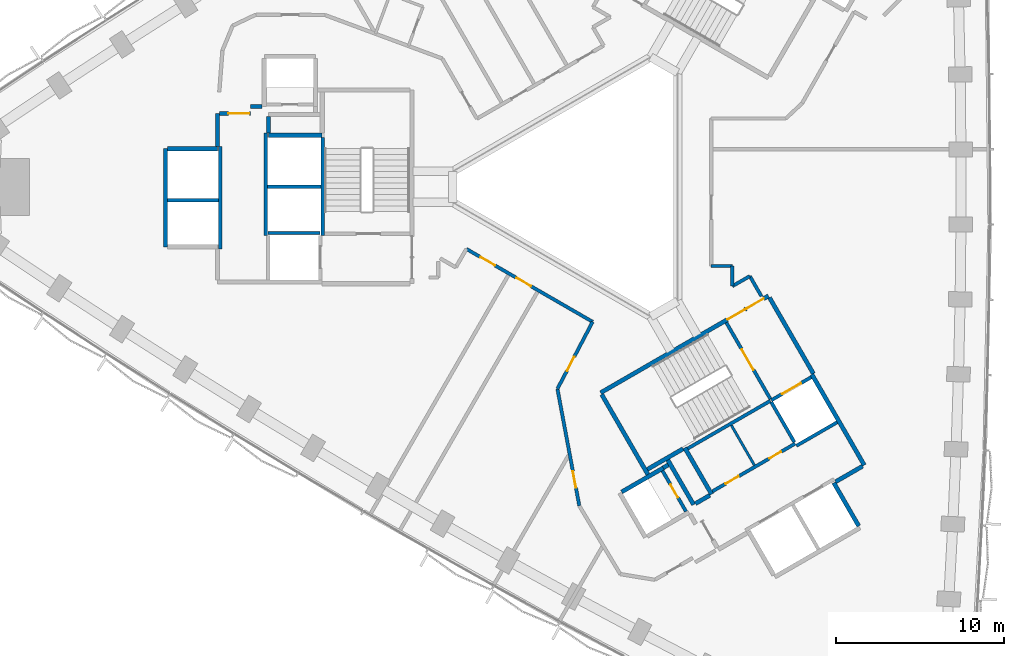
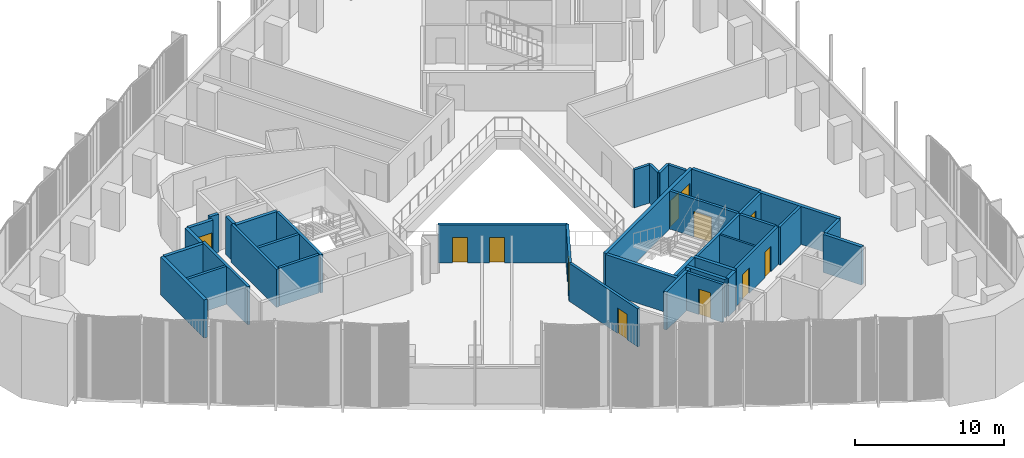
# One storey, part 8 of 15: 40 walls, 12 doors, 12 openings.
"""IFC4 building model written with IfcOpenShell, lengths in metres."""

from ifc_helpers import new_model, si_unit, direction, frame, frame_2d, origin, place, context, subcontext, project, spatial, rectangle, extrude, material, layer, layer_set, type_object, element, fill, save


model = new_model("IFC4")

# Units and contexts
model_context = context("Model", 3, precision=1e-05, world=origin(), true_north=direction((0.0, 1.0)))
body_context = subcontext(model_context, "Body", "Model", "MODEL_VIEW")
ifc_project = project(units=[si_unit("LENGTHUNIT", "METRE"), si_unit("AREAUNIT", "SQUARE_METRE"), si_unit("VOLUMEUNIT", "CUBIC_METRE"), si_unit("PLANEANGLEUNIT", "RADIAN"), si_unit("MASSUNIT", "GRAM", prefix="KILO")], contexts=[model_context])

# Site, building, storey
site_placement = place(None, origin())
site = spatial("IfcSite", under=ifc_project, at=site_placement, CompositionType="ELEMENT")
building_placement = place(site_placement, origin())
building = spatial("IfcBuilding", under=site, at=building_placement, Name="Tamra Quay Hotel Tower", CompositionType="ELEMENT")
storey_placement = place(building_placement, frame((0.0, 0.0, 67.39990234375)))
storey = spatial("IfcBuildingStorey", under=building, at=storey_placement, Name="L15", CompositionType="ELEMENT", Elevation=67.39990234375)

# Walls
ifc_material_1 = material(Name="Concrete M70", Category="concrete")
ifc_layer_1 = layer(ifc_material_1, 0.199951171875)
ifc_layer_set_1 = layer_set([ifc_layer_1], Name="Concrete M70 core wall 200")
wall_type_1 = type_object("IfcWallType", Name="Concrete M70 core wall 200", PredefinedType="SHEAR", material=ifc_layer_set_1)
wall_1_placement = place(storey_placement, frame((-16.162109375, 2.95068359375, 0.0), z_axis=(0.0, 0.0, 1.0), x_axis=(0.0, -1.0, 0.0)))
element("IfcWall", 1, at=wall_1_placement, inside=storey, type_object=wall_type_1, Name="CW2", PredefinedType="SHEAR", context=body_context, shape_type="SweptSolid", body=[
    extrude(rectangle(XDim=5.850830078125, YDim=0.199951171875, at=frame_2d((2.92529296875, 0.0))), origin(), (0.0, 0.0, 1.0), 3.125),
])
for number, where, z_axis, x_axis, name in (
    (2, (-19.5625, -2.900146484375, 0.0), (0.0, 0.0, 1.0), (0.0, 1.0, 0.0), "CW2"),
    (3, (-22.26220703125, 2.400146484375, 0.0), (0.0, 0.0, 1.0), (0.0, -1.0, 0.0), "CW2"),
):
    element("IfcWall", number, at=place(storey_placement, frame(where, z_axis=z_axis, x_axis=x_axis)), inside=storey, type_object=wall_type_1, Name=name, PredefinedType="SHEAR", context=body_context, shape_type="SweptSolid", body=[
        extrude(rectangle(XDim=6.100341796875, YDim=0.199951171875, at=frame_2d((3.05029296875, 0.0))), origin(), (0.0, 0.0, 1.0), 3.125),
    ])
wall_2_placement = place(storey_placement, frame((-16.26318359375, 0.0, 0.0), z_axis=(0.0, 0.0, 1.0), x_axis=(-1.0, 0.0, 0.0)))
element("IfcWall", 4, at=wall_2_placement, inside=storey, type_object=wall_type_1, Name="CW2", PredefinedType="SHEAR", context=body_context, shape_type="SweptSolid", body=[
    extrude(rectangle(XDim=3.1982421875, YDim=0.199951171875, at=frame_2d((1.59912109375, 0.0))), origin(), (0.0, 0.0, 1.0), 3.125),
])
wall_3_placement = place(storey_placement, frame((-22.36328125, -0.800048828125, 0.0), z_axis=(0.0, 0.0, 1.0), x_axis=(-1.0, 0.0, 0.0)))
element("IfcWall", 5, at=wall_3_placement, inside=storey, type_object=wall_type_1, Name="CW2", PredefinedType="SHEAR", context=body_context, shape_type="SweptSolid", body=[
    extrude(rectangle(XDim=3.048095703125, YDim=0.199951171875, at=frame_2d((1.52392578125, 0.0))), origin(), (0.0, 0.0, 1.0), 3.125),
])
wall_4_placement = place(storey_placement, frame((-19.412353515625, -2.75, 0.0), z_axis=(0.0, 0.0, 1.0), x_axis=(1.0, 0.0, 0.0)))
element("IfcWall", 6, at=wall_4_placement, inside=storey, type_object=wall_type_1, Name="CW2", PredefinedType="SHEAR", context=body_context, shape_type="SweptSolid", body=[
    extrude(rectangle(XDim=3.10009765625, YDim=0.199951171875, at=frame_2d((1.550048828125, 0.0))), origin(), (0.0, 0.0, 1.0), 3.125),
])
wall_5_placement = place(storey_placement, frame((10.537841796875, -12.751953125, 0.0), z_axis=(0.0, 0.0, 1.0), x_axis=(-0.866038630372, -0.499977090179, 0.0)))
element("IfcWall", 7, at=wall_5_placement, inside=storey, type_object=wall_type_1, Name="CW2", PredefinedType="SHEAR", context=body_context, shape_type="SweptSolid", body=[
    extrude(rectangle(XDim=5.698974609375, YDim=0.199951171875, at=frame_2d((2.849609375, 0.0))), origin(), (0.0, 0.0, 1.0), 3.125),
])

# Wall, openings, doors
wall_6_placement = place(storey_placement, frame((7.0771484375, -18.156005859375, 0.0), z_axis=(0.0, 0.0, 1.0), x_axis=(0.866038630372, 0.499977090179, 0.0)))
wall_6 = element("IfcWall", 8, at=wall_6_placement, inside=storey, type_object=wall_type_1, Name="CW2", PredefinedType="SHEAR", context=body_context, shape_type="SweptSolid", body=[
    extrude(rectangle(XDim=5.698974609375, YDim=0.199951171875, at=frame_2d((2.849609375, 0.0))), origin(), (0.0, 0.0, 1.0), 3.125),
])
opening_1_placement = place(wall_6_placement, frame((0.89892578125, 0.0, 0.0)))
opening_1 = element("IfcOpeningElement", 9, at=opening_1_placement, cuts=wall_6, Name="Opening D2", PredefinedType="OPENING", context=body_context, shape_type="SweptSolid", body=[
    extrude(rectangle(XDim=0.89990234375, YDim=2.10009765625, at=frame_2d((0.449951171875, 1.050048828125))), frame((0.0, 0.10986328125, 0.0), z_axis=(0.0, -1.0, 0.0), x_axis=(1.0, 0.0, 0.0)), (0.0, 0.0, 1.0), 0.219970703125),
])
opening_2_placement = place(wall_6_placement, frame((3.924072265625, 0.0, 0.0)))
opening_2 = element("IfcOpeningElement", 10, at=opening_2_placement, cuts=wall_6, Name="Opening D3", PredefinedType="OPENING", context=body_context, shape_type="SweptSolid", body=[
    extrude(rectangle(XDim=0.800048828125, YDim=2.10009765625, at=frame_2d((0.39990234375, 1.050048828125))), frame((0.0, 0.10986328125, 0.0), z_axis=(0.0, -1.0, 0.0), x_axis=(1.0, 0.0, 0.0)), (0.0, 0.0, 1.0), 0.219970703125),
])
ifc_material_2 = material(Name="Core door D2 900x2100 LH")
door_type_1 = type_object("IfcDoorType", Name="Core door D2 900x2100 LH", OperationType="NOTDEFINED", PredefinedType="DOOR", material=ifc_material_2)
door_1_placement = place(opening_1_placement, origin())
door_1 = element("IfcDoor", 11, at=door_1_placement, inside=storey, type_object=door_type_1, Name="D2", OperationType="SINGLE_SWING_LEFT", OverallHeight=2.10009765625, OverallWidth=0.89990234375, PredefinedType="DOOR", context=body_context, shape_type="SweptSolid", body=[
    extrude(rectangle(XDim=0.89990234375, YDim=2.10009765625, at=frame_2d((0.449951171875, 1.050048828125))), frame((0.0, 0.02490234375, 0.0), z_axis=(0.0, -1.0, 0.0), x_axis=(1.0, 0.0, 0.0)), (0.0, 0.0, 1.0), 0.050048828125),
])
fill(opening_1, door_1)
ifc_material_3 = material(Name="Core door D3 800x2100 RH")
door_type_2 = type_object("IfcDoorType", Name="Core door D3 800x2100 RH", OperationType="NOTDEFINED", PredefinedType="DOOR", material=ifc_material_3)
door_2_placement = place(opening_2_placement, origin())
door_2 = element("IfcDoor", 12, at=door_2_placement, inside=storey, type_object=door_type_2, Name="D3", OperationType="SINGLE_SWING_RIGHT", OverallHeight=2.10009765625, OverallWidth=0.800048828125, PredefinedType="DOOR", context=body_context, shape_type="SweptSolid", body=[
    extrude(rectangle(XDim=0.800048828125, YDim=2.10009765625, at=frame_2d((0.39990234375, 1.050048828125))), frame((0.0, 0.02490234375, 0.0), z_axis=(0.0, -1.0, 0.0), x_axis=(1.0, 0.0, 0.0)), (0.0, 0.0, 1.0), 0.050048828125),
])
fill(opening_2, door_2)

# Wall, opening, door
wall_7_placement = place(storey_placement, frame((7.906494140625, -8.094482421875, 0.0), z_axis=(0.0, 0.0, 1.0), x_axis=(0.500024287448, -0.866011380966, 0.0)))
wall_7 = element("IfcWall", 13, at=wall_7_placement, inside=storey, type_object=wall_type_1, Name="CW2", PredefinedType="SHEAR", context=body_context, shape_type="SweptSolid", body=[
    extrude(rectangle(XDim=5.251220703125, YDim=0.199951171875, at=frame_2d((2.62548828125, 0.0))), origin(), (0.0, 0.0, 1.0), 3.125),
])
opening_3_placement = place(wall_7_placement, frame((1.84912109375, 0.0, 0.0)))
opening_3 = element("IfcOpeningElement", 14, at=opening_3_placement, cuts=wall_7, Name="Opening FD2", PredefinedType="OPENING", context=body_context, shape_type="SweptSolid", body=[
    extrude(rectangle(XDim=1.39990234375, YDim=2.10009765625, at=frame_2d((0.699951171875, 1.050048828125))), frame((0.0, 0.10986328125, 0.0), z_axis=(0.0, -1.0, 0.0), x_axis=(1.0, 0.0, 0.0)), (0.0, 0.0, 1.0), 0.219970703125),
])
ifc_material_4 = material(Name="Core door FD2 1400x2100 RH")
door_type_3 = type_object("IfcDoorType", Name="Core door FD2 1400x2100 RH", OperationType="NOTDEFINED", PredefinedType="DOOR", material=ifc_material_4)
door_3_placement = place(opening_3_placement, origin())
door_3 = element("IfcDoor", 15, at=door_3_placement, inside=storey, type_object=door_type_3, Name="FD2", OperationType="SINGLE_SWING_RIGHT", OverallHeight=2.10009765625, OverallWidth=1.39990234375, PredefinedType="DOOR", context=body_context, shape_type="SweptSolid", body=[
    extrude(rectangle(XDim=1.39990234375, YDim=2.10009765625, at=frame_2d((0.699951171875, 1.050048828125))), frame((0.0, 0.02490234375, 0.0), z_axis=(0.0, -1.0, 0.0), x_axis=(1.0, 0.0, 0.0)), (0.0, 0.0, 1.0), 0.050048828125),
])
fill(opening_3, door_3)

wall_8_placement = place(storey_placement, frame((5.50341796875, -19.352294921875, 0.0), z_axis=(0.0, 0.0, 1.0), x_axis=(-0.499986818241, 0.866033014143, 0.0)))
wall_8 = element("IfcWall", 16, at=wall_8_placement, inside=storey, type_object=wall_type_1, Name="CW2", PredefinedType="SHEAR", context=body_context, shape_type="SweptSolid", body=[
    extrude(rectangle(XDim=2.7978515625, YDim=0.199951171875, at=frame_2d((1.39892578125, 0.0))), origin(), (0.0, 0.0, 1.0), 3.125),
])
opening_4_placement = place(wall_8_placement, frame((0.948974609375, 0.0, 0.0)))
opening_4 = element("IfcOpeningElement", 17, at=opening_4_placement, cuts=wall_8, Name="Opening D1", PredefinedType="OPENING", context=body_context, shape_type="SweptSolid", body=[
    extrude(rectangle(XDim=0.89990234375, YDim=2.10009765625, at=frame_2d((0.449951171875, 1.050048828125))), frame((0.0, 0.10986328125, 0.0), z_axis=(0.0, -1.0, 0.0), x_axis=(1.0, 0.0, 0.0)), (0.0, 0.0, 1.0), 0.219970703125),
])
ifc_material_5 = material(Name="Core door D1 900x2100 LH")
door_type_4 = type_object("IfcDoorType", Name="Core door D1 900x2100 LH", OperationType="NOTDEFINED", PredefinedType="DOOR", material=ifc_material_5)
door_4_placement = place(opening_4_placement, origin())
door_4 = element("IfcDoor", 18, at=door_4_placement, inside=storey, type_object=door_type_4, Name="D1", OperationType="SINGLE_SWING_LEFT", OverallHeight=2.10009765625, OverallWidth=0.89990234375, PredefinedType="DOOR", context=body_context, shape_type="SweptSolid", body=[
    extrude(rectangle(XDim=0.89990234375, YDim=2.10009765625, at=frame_2d((0.449951171875, 1.050048828125))), frame((0.0, 0.02490234375, 0.0), z_axis=(0.0, -1.0, 0.0), x_axis=(1.0, 0.0, 0.0)), (0.0, 0.0, 1.0), 0.050048828125),
])
fill(opening_4, door_4)

# Wall
wall_9_placement = place(storey_placement, frame((11.962646484375, -15.219970703125, 0.0), z_axis=(0.0, 0.0, 1.0), x_axis=(-0.500034990121, 0.866005201286, 0.0)))
element("IfcWall", 19, at=wall_9_placement, inside=storey, type_object=wall_type_1, Name="CW2", PredefinedType="SHEAR", context=body_context, shape_type="SweptSolid", body=[
    extrude(rectangle(XDim=2.749755859375, YDim=0.199951171875, at=frame_2d((1.375, 0.0))), origin(), (0.0, 0.0, 1.0), 3.125),
])

# Wall, opening, door
wall_10_placement = place(storey_placement, frame((10.587158203125, -12.72314453125, 0.0), z_axis=(0.0, 0.0, 1.0), x_axis=(0.866037306777, 0.499979382845, 0.0)))
wall_10 = element("IfcWall", 20, at=wall_10_placement, inside=storey, type_object=wall_type_1, Name="CW2", PredefinedType="SHEAR", context=body_context, shape_type="SweptSolid", body=[
    extrude(rectangle(XDim=2.74169921875, YDim=0.199951171875, at=frame_2d((1.370849609375, 0.0))), origin(), (0.0, 0.0, 1.0), 3.125),
])
opening_5_placement = place(wall_10_placement, frame((0.742919921875, 0.0, 0.0)))
opening_5 = element("IfcOpeningElement", 21, at=opening_5_placement, cuts=wall_10, Name="Opening LD", PredefinedType="OPENING", context=body_context, shape_type="SweptSolid", body=[
    extrude(rectangle(XDim=1.300048828125, YDim=2.10009765625, at=frame_2d((0.64990234375, 1.050048828125))), frame((0.0, 0.10986328125, 0.0), z_axis=(0.0, -1.0, 0.0), x_axis=(1.0, 0.0, 0.0)), (0.0, 0.0, 1.0), 0.219970703125),
])
ifc_material_6 = material(Name="Landing door LD 1300 sliding to right")
door_type_5 = type_object("IfcDoorType", Name="Landing door LD 1300 sliding to right", OperationType="NOTDEFINED", PredefinedType="DOOR", material=ifc_material_6)
door_5_placement = place(opening_5_placement, origin())
door_5 = element("IfcDoor", 22, at=door_5_placement, inside=storey, type_object=door_type_5, Name="LD", OperationType="SLIDING_TO_RIGHT", OverallHeight=2.10009765625, OverallWidth=1.300048828125, PredefinedType="DOOR", context=body_context, shape_type="SweptSolid", body=[
    extrude(rectangle(XDim=1.300048828125, YDim=2.10009765625, at=frame_2d((0.64990234375, 1.050048828125))), frame((0.0, 0.02490234375, 0.0), z_axis=(0.0, -1.0, 0.0), x_axis=(1.0, 0.0, 0.0)), (0.0, 0.0, 1.0), 0.050048828125),
])
fill(opening_5, door_5)

# Walls
wall_11_placement = place(storey_placement, frame((14.51171875, -14.037109375, 0.0), z_axis=(0.0, 0.0, 1.0), x_axis=(-0.866044696403, -0.499966582715, 0.0)))
element("IfcWall", 23, at=wall_11_placement, inside=storey, type_object=wall_type_1, Name="CW2", PredefinedType="SHEAR", context=body_context, shape_type="SweptSolid", body=[
    extrude(rectangle(XDim=2.799072265625, YDim=0.199951171875, at=frame_2d((1.3994140625, 0.0))), origin(), (0.0, 0.0, 1.0), 3.125),
])
ifc_layer_2 = layer(ifc_material_1, 0.25)
ifc_layer_set_2 = layer_set([ifc_layer_2], Name="Concrete M70 core wall 250")
wall_type_2 = type_object("IfcWallType", Name="Concrete M70 core wall 250", PredefinedType="SHEAR", material=ifc_layer_set_2)
wall_12_placement = place(storey_placement, frame((-25.537353515625, -3.574951171875, 0.0), z_axis=(0.0, 0.0, 1.0), x_axis=(0.0, 1.0, 0.0)))
element("IfcWall", 24, at=wall_12_placement, inside=storey, type_object=wall_type_2, Name="CW1", PredefinedType="SHEAR", context=body_context, shape_type="SweptSolid", body=[
    extrude(rectangle(XDim=5.849853515625, YDim=0.25, at=frame_2d((2.9248046875, 0.0))), origin(), (0.0, 0.0, 1.0), 3.125),
])
wall_13_placement = place(storey_placement, frame((-19.38720703125, 3.074951171875, 0.0), z_axis=(0.0, 0.0, 1.0), x_axis=(1.0, 0.0, 0.0)))
element("IfcWall", 25, at=wall_13_placement, inside=storey, type_object=wall_type_2, Name="CW1", PredefinedType="SHEAR", context=body_context, shape_type="SweptSolid", body=[
    extrude(rectangle(XDim=3.199951171875, YDim=0.25, at=frame_2d((1.60009765625, 0.0))), origin(), (0.0, 0.0, 1.0), 3.125),
])
wall_14_placement = place(storey_placement, frame((-25.411865234375, 2.27490234375, 0.0), z_axis=(0.0, 0.0, 1.0), x_axis=(1.0, 0.0, 0.0)))
element("IfcWall", 26, at=wall_14_placement, inside=storey, type_object=wall_type_2, Name="CW1", PredefinedType="SHEAR", context=body_context, shape_type="SweptSolid", body=[
    extrude(rectangle(XDim=2.974609375, YDim=0.25, at=frame_2d((1.4873046875, 0.0))), origin(), (0.0, 0.0, 1.0), 3.125),
])
wall_15_placement = place(storey_placement, frame((-22.437255859375, 2.400390625, 0.0), z_axis=(0.0, 0.0, 1.0), x_axis=(0.0, 1.0, 0.0)))
element("IfcWall", 27, at=wall_15_placement, inside=storey, type_object=wall_type_2, Name="CW1", PredefinedType="SHEAR", context=body_context, shape_type="SweptSolid", body=[
    extrude(rectangle(XDim=1.974609375, YDim=0.25, at=frame_2d((0.9873046875, 0.0))), origin(), (0.0, 0.0, 1.0), 3.125),
])

# Wall, opening, door
wall_16_placement = place(storey_placement, frame((-22.311767578125, 4.375, 0.0), z_axis=(0.0, 0.0, 1.0), x_axis=(1.0, 0.0, 0.0)))
wall_16 = element("IfcWall", 28, at=wall_16_placement, inside=storey, type_object=wall_type_2, Name="CW1", PredefinedType="SHEAR", context=body_context, shape_type="SweptSolid", body=[
    extrude(rectangle(XDim=1.864501953125, YDim=0.25, at=frame_2d((0.93212890625, 0.0))), origin(), (0.0, 0.0, 1.0), 3.125),
])
opening_6_placement = place(wall_16_placement, frame((0.53466796875, 0.0, 0.0)))
opening_6 = element("IfcOpeningElement", 29, at=opening_6_placement, cuts=wall_16, Name="Opening FD3", PredefinedType="OPENING", context=body_context, shape_type="SweptSolid", body=[
    extrude(rectangle(XDim=1.25, YDim=2.10009765625, at=frame_2d((0.625, 1.050048828125))), frame((0.0, 0.135009765625, 0.0), z_axis=(0.0, -1.0, 0.0), x_axis=(1.0, 0.0, 0.0)), (0.0, 0.0, 1.0), 0.27001953125),
])
ifc_material_7 = material(Name="Core door FD3 1250x2100 LH")
door_type_6 = type_object("IfcDoorType", Name="Core door FD3 1250x2100 LH", OperationType="NOTDEFINED", PredefinedType="DOOR", material=ifc_material_7)
door_6_placement = place(opening_6_placement, origin())
door_6 = element("IfcDoor", 30, at=door_6_placement, inside=storey, type_object=door_type_6, Name="FD3", OperationType="SINGLE_SWING_LEFT", OverallHeight=2.10009765625, OverallWidth=1.25, PredefinedType="DOOR", context=body_context, shape_type="SweptSolid", body=[
    extrude(rectangle(XDim=1.25, YDim=2.10009765625, at=frame_2d((0.625, 1.050048828125))), frame((0.0, 0.02490234375, 0.0), z_axis=(0.0, -1.0, 0.0), x_axis=(1.0, 0.0, 0.0)), (0.0, 0.0, 1.0), 0.050048828125),
])
fill(opening_6, door_6)

# Walls
wall_17_placement = place(storey_placement, frame((-19.38720703125, 4.189697265625, 0.0), z_axis=(0.0, 0.0, 1.0), x_axis=(0.0, -1.0, 0.0)))
element("IfcWall", 31, at=wall_17_placement, inside=storey, type_object=wall_type_2, Name="CW1", PredefinedType="SHEAR", context=body_context, shape_type="SweptSolid", body=[
    extrude(rectangle(XDim=0.9892578125, YDim=0.25, at=frame_2d((0.49462890625, 0.0))), origin(), (0.0, 0.0, 1.0), 3.125),
])
wall_18_placement = place(storey_placement, frame((-20.447265625, 4.784912109375, 0.0), z_axis=(0.0, 0.0, 1.0), x_axis=(1.0, 0.0, 0.0)))
element("IfcWall", 32, at=wall_18_placement, inside=storey, type_object=wall_type_2, Name="CW1", PredefinedType="SHEAR", context=body_context, shape_type="SweptSolid", body=[
    extrude(rectangle(XDim=0.6845703125, YDim=0.25, at=frame_2d((0.34228515625, 0.0))), origin(), (0.0, 0.0, 1.0), 3.125),
])

# Wall, openings, doors
wall_19_placement = place(storey_placement, frame((0.417236328125, -12.27294921875, 0.0), z_axis=(0.0, 0.0, 1.0), x_axis=(0.866021906294, 0.500006057782, 0.0)))
wall_19 = element("IfcWall", 33, at=wall_19_placement, inside=storey, type_object=wall_type_2, Name="CW1", PredefinedType="SHEAR", context=body_context, shape_type="SweptSolid", body=[
    extrude(rectangle(XDim=11.550048828125, YDim=0.25, at=frame_2d((5.77490234375, 0.0))), origin(), (0.0, 0.0, 1.0), 3.125),
])
opening_7_placement = place(wall_19_placement, frame((10.024658203125, 0.0, 0.0)))
opening_7 = element("IfcOpeningElement", 34, at=opening_7_placement, cuts=wall_19, Name="Opening FD1", PredefinedType="OPENING", context=body_context, shape_type="SweptSolid", body=[
    extrude(rectangle(XDim=1.199951171875, YDim=2.10009765625, at=frame_2d((0.60009765625, 1.050048828125))), frame((0.0, 0.135009765625, 0.0), z_axis=(0.0, -1.0, 0.0), x_axis=(1.0, 0.0, 0.0)), (0.0, 0.0, 1.0), 0.27001953125),
])
opening_8_placement = place(wall_19_placement, frame((8.724609375, 0.0, 0.0)))
opening_8 = element("IfcOpeningElement", 35, at=opening_8_placement, cuts=wall_19, Name="Opening FD1", PredefinedType="OPENING", context=body_context, shape_type="SweptSolid", body=[
    extrude(rectangle(XDim=1.199951171875, YDim=2.10009765625, at=frame_2d((0.60009765625, 1.050048828125))), frame((0.0, 0.135009765625, 0.0), z_axis=(0.0, -1.0, 0.0), x_axis=(1.0, 0.0, 0.0)), (0.0, 0.0, 1.0), 0.27001953125),
])
ifc_material_8 = material(Name="Core door FD1 1200x2100 LH")
door_type_7 = type_object("IfcDoorType", Name="Core door FD1 1200x2100 LH", OperationType="NOTDEFINED", PredefinedType="DOOR", material=ifc_material_8)
door_7_placement = place(opening_7_placement, origin())
door_7 = element("IfcDoor", 36, at=door_7_placement, inside=storey, type_object=door_type_7, Name="FD1", OperationType="SINGLE_SWING_LEFT", OverallHeight=2.10009765625, OverallWidth=1.199951171875, PredefinedType="DOOR", context=body_context, shape_type="SweptSolid", body=[
    extrude(rectangle(XDim=1.199951171875, YDim=2.10009765625, at=frame_2d((0.60009765625, 1.050048828125))), frame((0.0, 0.02490234375, 0.0), z_axis=(0.0, -1.0, 0.0), x_axis=(1.0, 0.0, 0.0)), (0.0, 0.0, 1.0), 0.050048828125),
])
fill(opening_7, door_7)
ifc_material_9 = material(Name="Core door FD1 1200x2100 RH")
door_type_8 = type_object("IfcDoorType", Name="Core door FD1 1200x2100 RH", OperationType="NOTDEFINED", PredefinedType="DOOR", material=ifc_material_9)
door_8_placement = place(opening_8_placement, origin())
door_8 = element("IfcDoor", 37, at=door_8_placement, inside=storey, type_object=door_type_8, Name="FD1", OperationType="SINGLE_SWING_RIGHT", OverallHeight=2.10009765625, OverallWidth=1.199951171875, PredefinedType="DOOR", context=body_context, shape_type="SweptSolid", body=[
    extrude(rectangle(XDim=1.199951171875, YDim=2.10009765625, at=frame_2d((0.60009765625, 1.050048828125))), frame((0.0, 0.02490234375, 0.0), z_axis=(0.0, -1.0, 0.0), x_axis=(1.0, 0.0, 0.0)), (0.0, 0.0, 1.0), 0.050048828125),
])
fill(opening_8, door_8)

# Walls
wall_20_placement = place(storey_placement, frame((13.00830078125, -11.18115234375, 0.0), z_axis=(0.0, 0.0, 1.0), x_axis=(0.500004234368, -0.866022959057, 0.0)))
element("IfcWall", 38, at=wall_20_placement, inside=storey, type_object=wall_type_2, Name="CW1", PredefinedType="SHEAR", context=body_context, shape_type="SweptSolid", body=[
    extrude(rectangle(XDim=6.25, YDim=0.25, at=frame_2d((3.125, 0.0))), origin(), (0.0, 0.0, 1.0), 3.125),
])
wall_21_placement = place(storey_placement, frame((3.23486328125, -17.15283203125, 0.0), z_axis=(0.0, 0.0, 1.0), x_axis=(-0.500008851346, 0.866020293397, 0.0)))
element("IfcWall", 39, at=wall_21_placement, inside=storey, type_object=wall_type_2, Name="CW1", PredefinedType="SHEAR", context=body_context, shape_type="SweptSolid", body=[
    extrude(rectangle(XDim=5.509765625, YDim=0.25, at=frame_2d((2.7548828125, 0.0))), origin(), (0.0, 0.0, 1.0), 3.125),
])
wall_22_placement = place(storey_placement, frame((10.482666015625, -6.6064453125, 0.0), z_axis=(0.0, 0.0, 1.0), x_axis=(0.49999885962, -0.866026062182, 0.0)))
element("IfcWall", 40, at=wall_22_placement, inside=storey, type_object=wall_type_2, Name="CW1", PredefinedType="SHEAR", context=body_context, shape_type="SweptSolid", body=[
    extrude(rectangle(XDim=5.224609375, YDim=0.25, at=frame_2d((2.6123046875, 0.0))), origin(), (0.0, 0.0, 1.0), 3.125),
])
wall_23_placement = place(storey_placement, frame((7.030517578125, -18.327392578125, 0.0), z_axis=(0.0, 0.0, 1.0), x_axis=(-0.499971222258, 0.866042017984, 0.0)))
element("IfcWall", 41, at=wall_23_placement, inside=storey, type_object=wall_type_2, Name="CW1", PredefinedType="SHEAR", context=body_context, shape_type="SweptSolid", body=[
    extrude(rectangle(XDim=3.199951171875, YDim=0.25, at=frame_2d((1.60009765625, 0.0))), origin(), (0.0, 0.0, 1.0), 3.125),
])
wall_24_placement = place(storey_placement, frame((14.314697265625, -17.643798828125, 0.0), z_axis=(0.0, 0.0, 1.0), x_axis=(0.500023226632, -0.866011993467, 0.0)))
element("IfcWall", 42, at=wall_24_placement, inside=storey, type_object=wall_type_2, Name="CW1", PredefinedType="SHEAR", context=body_context, shape_type="SweptSolid", body=[
    extrude(rectangle(XDim=2.974365234375, YDim=0.25, at=frame_2d((1.4873046875, 0.0))), origin(), (0.0, 0.0, 1.0), 3.125),
])
wall_25_placement = place(storey_placement, frame((1.6689453125, -18.189697265625, 0.0), z_axis=(0.0, 0.0, 1.0), x_axis=(0.866042235819, 0.499970844928, 0.0)))
element("IfcWall", 43, at=wall_25_placement, inside=storey, type_object=wall_type_2, Name="CW1", PredefinedType="SHEAR", context=body_context, shape_type="SweptSolid", body=[
    extrude(rectangle(XDim=2.864501953125, YDim=0.25, at=frame_2d((1.43212890625, 0.0))), origin(), (0.0, 0.0, 1.0), 3.125),
])
wall_26_placement = place(storey_placement, frame((4.414306640625, -16.275634765625, 0.0), z_axis=(0.0, 0.0, 1.0), x_axis=(0.500003324108, -0.866023484601, 0.0)))
element("IfcWall", 44, at=wall_26_placement, inside=storey, type_object=wall_type_2, Name="CW1", PredefinedType="SHEAR", context=body_context, shape_type="SweptSolid", body=[
    extrude(rectangle(XDim=3.0849609375, YDim=0.25, at=frame_2d((1.54248046875, 0.0))), origin(), (0.0, 0.0, 1.0), 3.125),
])
wall_27_placement = place(storey_placement, frame((5.322021484375, -15.618896484375, 0.0), z_axis=(0.0, 0.0, 1.0), x_axis=(-0.866026229868, -0.499998569178, 0.0)))
element("IfcWall", 45, at=wall_27_placement, inside=storey, type_object=wall_type_2, Name="CW1", PredefinedType="SHEAR", context=body_context, shape_type="SweptSolid", body=[
    extrude(rectangle(XDim=2.44921875, YDim=0.25, at=frame_2d((1.224609375, 0.0))), origin(), (0.0, 0.0, 1.0), 3.125),
])
wall_28_placement = place(storey_placement, frame((16.024658203125, -16.656494140625, 0.0), z_axis=(0.0, 0.0, 1.0), x_axis=(-0.866016279763, -0.500015802937, 0.0)))
element("IfcWall", 46, at=wall_28_placement, inside=storey, type_object=wall_type_2, Name="CW1", PredefinedType="SHEAR", context=body_context, shape_type="SweptSolid", body=[
    extrude(rectangle(XDim=1.84912109375, YDim=0.25, at=frame_2d((0.924560546875, 0.0))), origin(), (0.0, 0.0, 1.0), 3.125),
])
wall_29_placement = place(storey_placement, frame((6.0654296875, -18.884765625, 0.0), z_axis=(0.0, 0.0, 1.0), x_axis=(0.866017078145, 0.500014420154, 0.0)))
element("IfcWall", 47, at=wall_29_placement, inside=storey, type_object=wall_type_2, Name="CW1", PredefinedType="SHEAR", context=body_context, shape_type="SweptSolid", body=[
    extrude(rectangle(XDim=0.9892578125, YDim=0.25, at=frame_2d((0.49462890625, 0.0))), origin(), (0.0, 0.0, 1.0), 3.125),
])
wall_30_placement = place(storey_placement, frame((4.144775390625, -16.748779296875, 0.0), z_axis=(0.0, 0.0, 1.0), x_axis=(0.866185586049, 0.49972245349, 0.0)))
element("IfcWall", 48, at=wall_30_placement, inside=storey, type_object=wall_type_2, Name="CW1", PredefinedType="SHEAR", context=body_context, shape_type="SweptSolid", body=[
    extrude(rectangle(XDim=0.344482421875, YDim=0.25, at=frame_2d((0.17236328125, 0.0))), origin(), (0.0, 0.0, 1.0), 3.125),
])
ifc_material_10 = material(Name="Blockwork", Category="masonry")
ifc_layer_3 = layer(ifc_material_10, 0.14990234375)
ifc_layer_set_3 = layer_set([ifc_layer_3], Name="Core partition block 150")
wall_type_3 = type_object("IfcWallType", Name="Core partition block 150", PredefinedType="PARTITIONING", material=ifc_layer_set_3)
wall_31_placement = place(storey_placement, frame((8.20654296875, -14.214111328125, 0.0), z_axis=(0.0, 0.0, 1.0), x_axis=(0.50002746344, -0.86600954718, 0.0)))
element("IfcWall", 49, at=wall_31_placement, inside=storey, type_object=wall_type_3, Name="CP1", PredefinedType="PARTITIONING", context=body_context, shape_type="SweptSolid", body=[
    extrude(rectangle(XDim=2.748291015625, YDim=0.14990234375, at=frame_2d((1.3740234375, 0.0))), origin(), (0.0, 0.0, 1.0), 3.125),
])

# Wall, openings, doors
ifc_material_11 = material(Name="Partition corridor wall")
ifc_layer_4 = layer(ifc_material_11, 0.199951171875)
ifc_layer_set_4 = layer_set([ifc_layer_4], Name="Partition corridor wall")
wall_type_4 = type_object("IfcWallType", Name="Partition corridor wall", PredefinedType="PARTITIONING", material=ifc_layer_set_4)
wall_32_placement = place(storey_placement, frame((-7.589111328125, -3.701904296875, 0.0), z_axis=(0.0, 0.0, 1.0), x_axis=(0.866045688893, -0.499964863516, 0.0)))
wall_32 = element("IfcWall", 50, at=wall_32_placement, inside=storey, type_object=wall_type_4, Name="W-C", PredefinedType="PARTITIONING", context=body_context, shape_type="SweptSolid", body=[
    extrude(rectangle(XDim=8.689208984375, YDim=0.199951171875, at=frame_2d((4.3447265625, 0.0))), origin(), (0.0, 0.0, 1.0), 3.125),
])
opening_9_placement = place(wall_32_placement, frame((0.97900390625, 0.0, 0.0)))
opening_9 = element("IfcOpeningElement", 51, at=opening_9_placement, cuts=wall_32, Name="Opening L15-D009", PredefinedType="OPENING", context=body_context, shape_type="SweptSolid", body=[
    extrude(rectangle(XDim=1.0, YDim=2.10009765625, at=frame_2d((0.5, 1.050048828125))), frame((0.0, 0.10986328125, 0.0), z_axis=(0.0, -1.0, 0.0), x_axis=(1.0, 0.0, 0.0)), (0.0, 0.0, 1.0), 0.219970703125),
])
opening_10_placement = place(wall_32_placement, frame((3.44921875, 0.0, 0.0)))
opening_10 = element("IfcOpeningElement", 52, at=opening_10_placement, cuts=wall_32, Name="Opening L15-D010", PredefinedType="OPENING", context=body_context, shape_type="SweptSolid", body=[
    extrude(rectangle(XDim=1.0, YDim=2.10009765625, at=frame_2d((0.5, 1.050048828125))), frame((0.0, 0.10986328125, 0.0), z_axis=(0.0, -1.0, 0.0), x_axis=(1.0, 0.0, 0.0)), (0.0, 0.0, 1.0), 0.219970703125),
])
ifc_material_12 = material(Name="Door guest room 1000x2100")
door_type_9 = type_object("IfcDoorType", Name="Door guest room 1000x2100", OperationType="NOTDEFINED", PredefinedType="DOOR", material=ifc_material_12)
door_9_placement = place(opening_9_placement, frame((1.0, 0.0, 0.0), z_axis=(0.0, 0.0, 1.0), x_axis=(-1.0, 0.0, 0.0)))
door_9 = element("IfcDoor", 53, at=door_9_placement, inside=storey, type_object=door_type_9, Name="L15-D009", OperationType="SINGLE_SWING_LEFT", OverallHeight=2.10009765625, OverallWidth=1.0, PredefinedType="DOOR", context=body_context, shape_type="SweptSolid", body=[
    extrude(rectangle(XDim=1.0, YDim=2.10009765625, at=frame_2d((0.5, 1.050048828125))), frame((0.0, 0.02490234375, 0.0), z_axis=(0.0, -1.0, 0.0), x_axis=(1.0, 0.0, 0.0)), (0.0, 0.0, 1.0), 0.050048828125),
])
fill(opening_9, door_9)
door_10_placement = place(opening_10_placement, frame((1.0, 0.0, 0.0), z_axis=(0.0, 0.0, 1.0), x_axis=(-1.0, 0.0, 0.0)))
door_10 = element("IfcDoor", 54, at=door_10_placement, inside=storey, type_object=door_type_9, Name="L15-D010", OperationType="SINGLE_SWING_LEFT", OverallHeight=2.10009765625, OverallWidth=1.0, PredefinedType="DOOR", context=body_context, shape_type="SweptSolid", body=[
    extrude(rectangle(XDim=1.0, YDim=2.10009765625, at=frame_2d((0.5, 1.050048828125))), frame((0.0, 0.02490234375, 0.0), z_axis=(0.0, -1.0, 0.0), x_axis=(1.0, 0.0, 0.0)), (0.0, 0.0, 1.0), 0.050048828125),
])
fill(opening_10, door_10)

# Wall, opening, door
wall_33_placement = place(storey_placement, frame((-2.162109375, -12.0419921875, 0.0), z_axis=(0.0, 0.0, 1.0), x_axis=(0.183949825522, -0.982935634561, 0.0)))
wall_33 = element("IfcWall", 55, at=wall_33_placement, inside=storey, type_object=wall_type_4, Name="W-C", PredefinedType="PARTITIONING", context=body_context, shape_type="SweptSolid", body=[
    extrude(rectangle(XDim=7.093994140625, YDim=0.199951171875, at=frame_2d((3.546875, 0.0))), origin(), (0.0, 0.0, 1.0), 3.125),
])
opening_11_placement = place(wall_33_placement, frame((5.005859375, 0.0, 0.0)))
opening_11 = element("IfcOpeningElement", 56, at=opening_11_placement, cuts=wall_33, Name="Opening L15-D012", PredefinedType="OPENING", context=body_context, shape_type="SweptSolid", body=[
    extrude(rectangle(XDim=1.0, YDim=2.10009765625, at=frame_2d((0.5, 1.050048828125))), frame((0.0, 0.10986328125, 0.0), z_axis=(0.0, -1.0, 0.0), x_axis=(1.0, 0.0, 0.0)), (0.0, 0.0, 1.0), 0.219970703125),
])
door_11_placement = place(opening_11_placement, frame((1.0, 0.0, 0.0), z_axis=(0.0, 0.0, 1.0), x_axis=(-1.0, 0.0, 0.0)))
door_11 = element("IfcDoor", 57, at=door_11_placement, inside=storey, type_object=door_type_9, Name="L15-D012", OperationType="SINGLE_SWING_LEFT", OverallHeight=2.10009765625, OverallWidth=1.0, PredefinedType="DOOR", context=body_context, shape_type="SweptSolid", body=[
    extrude(rectangle(XDim=1.0, YDim=2.10009765625, at=frame_2d((0.5, 1.050048828125))), frame((0.0, 0.02490234375, 0.0), z_axis=(0.0, -1.0, 0.0), x_axis=(1.0, 0.0, 0.0)), (0.0, 0.0, 1.0), 0.050048828125),
])
fill(opening_11, door_11)

wall_34_placement = place(storey_placement, frame((-2.162109375, -12.041015625, 0.0), z_axis=(0.0, 0.0, 1.0), x_axis=(0.464956890881, 0.885333321197, 0.0)))
wall_34 = element("IfcWall", 58, at=wall_34_placement, inside=storey, type_object=wall_type_4, Name="W-C", PredefinedType="PARTITIONING", context=body_context, shape_type="SweptSolid", body=[
    extrude(rectangle(XDim=4.512451171875, YDim=0.199951171875, at=frame_2d((2.25634765625, 0.0))), origin(), (0.0, 0.0, 1.0), 3.125),
])
opening_12_placement = place(wall_34_placement, frame((1.21240234375, 0.0, 0.0)))
opening_12 = element("IfcOpeningElement", 59, at=opening_12_placement, cuts=wall_34, Name="Opening L15-D011", PredefinedType="OPENING", context=body_context, shape_type="SweptSolid", body=[
    extrude(rectangle(XDim=0.949951171875, YDim=2.10009765625, at=frame_2d((0.47509765625, 1.050048828125))), frame((0.0, 0.10986328125, 0.0), z_axis=(0.0, -1.0, 0.0), x_axis=(1.0, 0.0, 0.0)), (0.0, 0.0, 1.0), 0.219970703125),
])
ifc_material_13 = material(Name="Door guest room 950x2100")
door_type_10 = type_object("IfcDoorType", Name="Door guest room 950x2100", OperationType="NOTDEFINED", PredefinedType="DOOR", material=ifc_material_13)
door_12_placement = place(opening_12_placement, origin())
door_12 = element("IfcDoor", 60, at=door_12_placement, inside=storey, type_object=door_type_10, Name="L15-D011", OperationType="SINGLE_SWING_LEFT", OverallHeight=2.10009765625, OverallWidth=0.949951171875, PredefinedType="DOOR", context=body_context, shape_type="SweptSolid", body=[
    extrude(rectangle(XDim=0.949951171875, YDim=2.10009765625, at=frame_2d((0.47509765625, 1.050048828125))), frame((0.0, 0.02490234375, 0.0), z_axis=(0.0, -1.0, 0.0), x_axis=(1.0, 0.0, 0.0)), (0.0, 0.0, 1.0), 0.050048828125),
])
fill(opening_12, door_12)

# Walls
wall_35_placement = place(storey_placement, frame((7.0, -4.720947265625, 0.0), z_axis=(0.0, 0.0, 1.0), x_axis=(1.0, 0.0, 0.0)))
element("IfcWall", 61, at=wall_35_placement, inside=storey, type_object=wall_type_4, Name="W-C", PredefinedType="PARTITIONING", context=body_context, shape_type="SweptSolid", body=[
    extrude(rectangle(XDim=1.26806640625, YDim=0.199951171875, at=frame_2d((0.634033203125, 0.0))), origin(), (0.0, 0.0, 1.0), 3.125),
])
wall_36_placement = place(storey_placement, frame((8.26806640625, -5.9208984375, 0.0), z_axis=(0.0, 0.0, 1.0), x_axis=(0.0, 1.0, 0.0)))
element("IfcWall", 62, at=wall_36_placement, inside=storey, type_object=wall_type_4, Name="W-C", PredefinedType="PARTITIONING", context=body_context, shape_type="SweptSolid", body=[
    extrude(rectangle(XDim=1.199951171875, YDim=0.199951171875, at=frame_2d((0.60009765625, 0.0))), origin(), (0.0, 0.0, 1.0), 3.125),
])
wall_37_placement = place(storey_placement, frame((8.26806640625, -5.9208984375, 0.0), z_axis=(0.0, 0.0, 1.0), x_axis=(0.866344856625, 0.499446282797, 0.0)))
element("IfcWall", 63, at=wall_37_placement, inside=storey, type_object=wall_type_4, Name="W-C", PredefinedType="PARTITIONING", context=body_context, shape_type="SweptSolid", body=[
    extrude(rectangle(XDim=1.198974609375, YDim=0.199951171875, at=frame_2d((0.599609375, 0.0))), origin(), (0.0, 0.0, 1.0), 3.125),
])
wall_38_placement = place(storey_placement, frame((9.306884765625, -5.322021484375, 0.0), z_axis=(0.0, 0.0, 1.0), x_axis=(0.500295157811, -0.865854927266, 0.0)))
element("IfcWall", 64, at=wall_38_placement, inside=storey, type_object=wall_type_4, Name="W-C", PredefinedType="PARTITIONING", context=body_context, shape_type="SweptSolid", body=[
    extrude(rectangle(XDim=1.389892578125, YDim=0.199951171875, at=frame_2d((0.69482421875, 0.0))), origin(), (0.0, 0.0, 1.0), 3.125),
])

save(model, "model.ifc")
